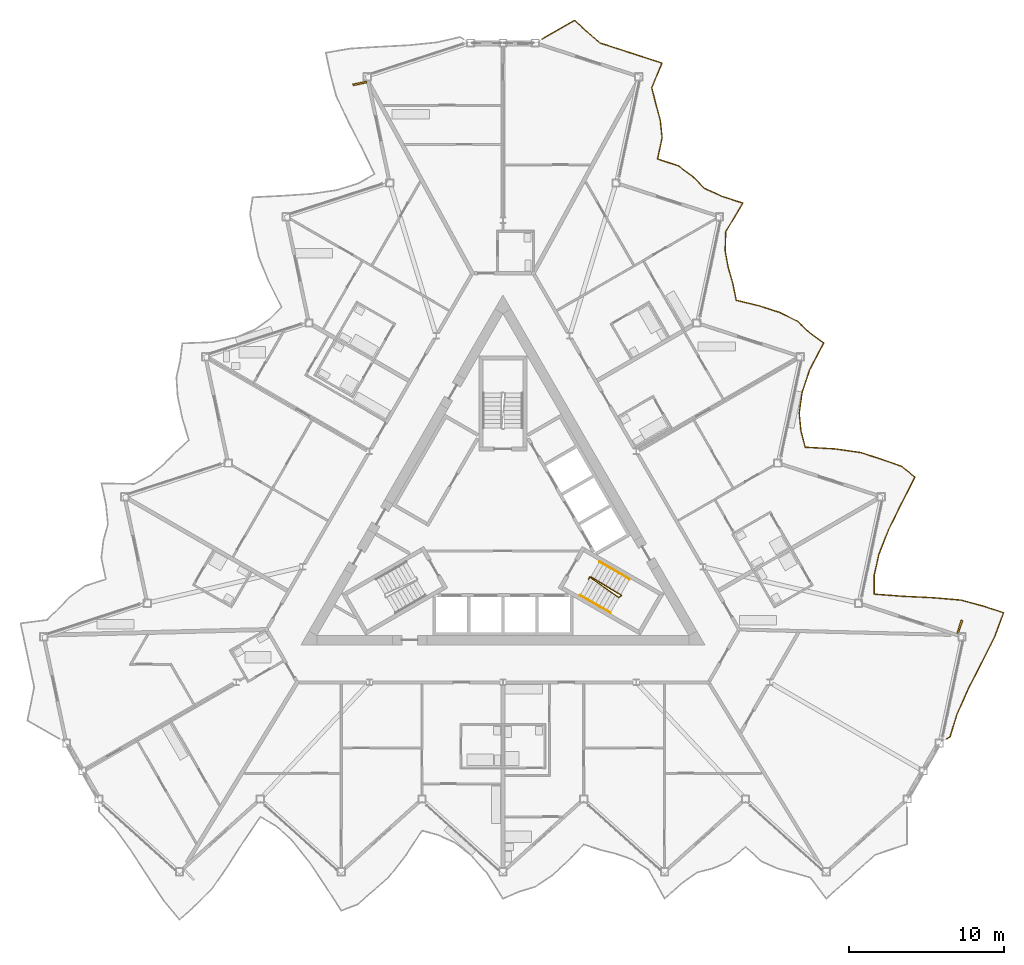
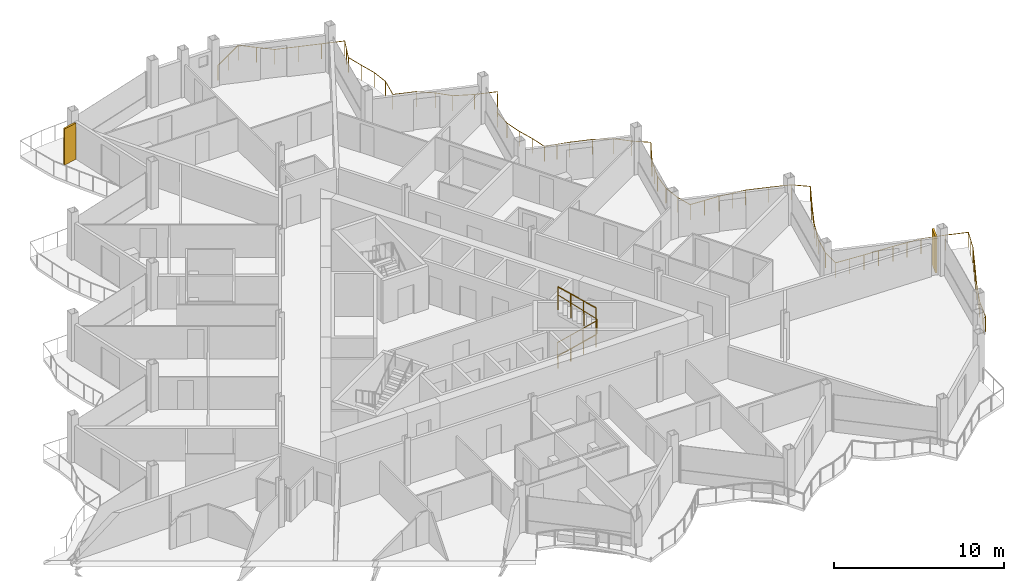
# One storey, part 24 of 26: 4 railings, 2 shading devices.
"""IFC4 building model written with IfcOpenShell, lengths in metres."""

from ifc_helpers import new_model, si_unit, direction, frame, origin, origin_2d, place, context, subcontext, project, spatial, rectangle, circle, extrude, material, layer, layer_set, type_object, element, save


model = new_model("IFC4")

# Units and contexts
model_context = context("Model", 3, precision=1e-05, world=origin(), true_north=direction((0.0, 1.0)))
body_context = subcontext(model_context, "Body", "Model", "MODEL_VIEW")
ifc_project = project(units=[si_unit("LENGTHUNIT", "METRE"), si_unit("AREAUNIT", "SQUARE_METRE"), si_unit("VOLUMEUNIT", "CUBIC_METRE"), si_unit("PLANEANGLEUNIT", "RADIAN"), si_unit("MASSUNIT", "GRAM", prefix="KILO")], contexts=[model_context])

# Site, building, storey
site_placement = place(None, origin())
site = spatial("IfcSite", under=ifc_project, at=site_placement, CompositionType="ELEMENT")
building_placement = place(site_placement, origin())
building = spatial("IfcBuilding", under=site, at=building_placement, Name="Cormorant Prow Tower", CompositionType="ELEMENT")
storey_placement = place(building_placement, frame((0.0, 0.0, 401.800048828125)))
storey = spatial("IfcBuildingStorey", under=building, at=storey_placement, Name="L92", CompositionType="ELEMENT", Elevation=401.800048828125)

# Railings
ifc_material_1 = material(Name="Aluminium 6063-T6", Category="aluminium")
railing_type_1 = type_object("IfcRailingType", Name="Balcony guard 1100", PredefinedType="GUARDRAIL", material=ifc_material_1)
railing_1_placement = place(storey_placement, frame((28.52685546875, -13.55224609375, 0.0)))
element("IfcRailing", 1, at=railing_1_placement, inside=storey, type_object=railing_type_1, Name="Balcony guard ENE", PredefinedType="GUARDRAIL", context=body_context, shape_type="SweptSolid", body=[
    extrude(circle(Radius=0.02392578125, at=origin_2d()), frame((0.0, 0.0, 1.076171875), z_axis=(0.866065156741, 0.499931139538, 0.0), x_axis=(-0.499931139538, 0.866065156741, 0.0)), (0.0, 0.0, 1.0), 0.27001953125),
    extrude(circle(Radius=0.02392578125, at=origin_2d()), frame((0.23388671875, 0.135009765625, 1.076171875), z_axis=(0.294635665896, 0.955609661097, 0.0), x_axis=(-0.955609661097, 0.294635665896, 0.0)), (0.0, 0.0, 1.0), 1.52880859375),
    extrude(circle(Radius=0.02392578125, at=origin_2d()), frame((0.684326171875, 1.595947265625, 1.076171875), z_axis=(0.40759544347, 0.913162611183, 0.0), x_axis=(-0.913162611183, 0.40759544347, 0.0)), (0.0, 0.0, 1.0), 1.771728515625),
    extrude(circle(Radius=0.02392578125, at=origin_2d()), frame((1.406494140625, 3.2138671875, 1.076171875), z_axis=(0.454002389748, 0.891000465827, 0.0), x_axis=(-0.891000465827, 0.454002389748, 0.0)), (0.0, 0.0, 1.0), 1.90966796875),
    extrude(circle(Radius=0.02392578125, at=origin_2d()), frame((2.2734375, 4.915283203125, 1.076171875), z_axis=(0.44664387204, 0.894711825991, 0.0), x_axis=(-0.894711825991, 0.44664387204, 0.0)), (0.0, 0.0, 1.0), 1.8857421875),
    extrude(circle(Radius=0.02392578125, at=origin_2d()), frame((3.11572265625, 6.6025390625, 1.076171875), z_axis=(0.347011519873, 0.937860866587, 0.0), x_axis=(-0.937860866587, 0.347011519873, 0.0)), (0.0, 0.0, 1.0), 1.6279296875),
    extrude(circle(Radius=0.02392578125, at=origin_2d()), frame((3.6806640625, 8.12939453125, 1.076171875), z_axis=(-0.951080208938, 0.308944066403, 0.0), x_axis=(-0.308944066403, -0.951080208938, 0.0)), (0.0, 0.0, 1.0), 1.3994140625),
    extrude(circle(Radius=0.02392578125, at=origin_2d()), frame((2.349609375, 8.561767578125, 1.076171875), z_axis=(-0.965272716618, 0.261244296689, 0.0), x_axis=(-0.261244296689, -0.965272716618, 0.0)), (0.0, 0.0, 1.0), 1.46728515625),
    extrude(circle(Radius=0.02392578125, at=origin_2d()), frame((0.933349609375, 8.945068359375, 1.076171875), z_axis=(-0.996577053623, 0.082669076395, 0.0), x_axis=(-0.082669076395, -0.996577053623, 0.0)), (0.0, 0.0, 1.0), 1.8251953125),
    extrude(circle(Radius=0.02392578125, at=origin_2d()), frame((-0.885498046875, 9.095947265625, 1.076171875), z_axis=(-0.998813708911, 0.048694711114, 0.0), x_axis=(-0.048694711114, -0.998813708911, 0.0)), (0.0, 0.0, 1.0), 1.920166015625),
    extrude(circle(Radius=0.02392578125, at=origin_2d()), frame((-2.803466796875, 9.189453125, 1.076171875), z_axis=(-0.997282146164, 0.073677139886, 0.0), x_axis=(-0.073677139886, -0.997282146164, 0.0)), (0.0, 0.0, 1.0), 1.84912109375),
    extrude(circle(Radius=0.02392578125, at=origin_2d()), frame((-4.6474609375, 9.32568359375, 1.076171875), z_axis=(0.002233496967, 0.999997505743, 0.0), x_axis=(-0.999997505743, 0.002233496967, 0.0)), (0.0, 0.0, 1.0), 1.202392578125),
    extrude(circle(Radius=0.02392578125, at=origin_2d()), frame((-4.644775390625, 10.528076171875, 1.076171875), z_axis=(0.2207792529, 0.975323803405, 0.0), x_axis=(-0.975323803405, 0.2207792529, 0.0)), (0.0, 0.0, 1.0), 1.41650390625),
    extrude(circle(Radius=0.02392578125, at=origin_2d()), frame((-4.33203125, 11.90966796875, 1.076171875), z_axis=(0.367993282522, 0.929828448704, 0.0), x_axis=(-0.929828448704, 0.367993282522, 0.0)), (0.0, 0.0, 1.0), 1.673828125),
    extrude(circle(Radius=0.02392578125, at=origin_2d()), frame((-3.716064453125, 13.466064453125, 1.076171875), z_axis=(0.44098146183, 0.897516211732, 0.0), x_axis=(-0.897516211732, 0.44098146183, 0.0)), (0.0, 0.0, 1.0), 1.867919921875),
    extrude(circle(Radius=0.02392578125, at=origin_2d()), frame((-2.892333984375, 15.142578125, 1.076171875), z_axis=(0.456208045682, 0.889873147732, 0.0), x_axis=(-0.889873147732, 0.456208045682, 0.0)), (0.0, 0.0, 1.0), 1.9169921875),
    extrude(circle(Radius=0.02392578125, at=origin_2d()), frame((-2.017822265625, 16.848388671875, 1.076171875), z_axis=(-0.778792533163, 0.627281587718, 0.0), x_axis=(-0.627281587718, -0.778792533163, 0.0)), (0.0, 0.0, 1.0), 1.114990234375),
    extrude(circle(Radius=0.02392578125, at=origin_2d()), frame((-2.88623046875, 17.5478515625, 1.076171875), z_axis=(-0.943899957521, 0.330231540275, 0.0), x_axis=(-0.330231540275, -0.943899957521, 0.0)), (0.0, 0.0, 1.0), 1.3720703125),
    extrude(circle(Radius=0.02392578125, at=origin_2d()), frame((-4.181396484375, 18.0009765625, 1.076171875), z_axis=(-0.951080208938, 0.308944066403, 0.0), x_axis=(-0.308944066403, -0.951080208938, 0.0)), (0.0, 0.0, 1.0), 1.3994140625),
    extrude(circle(Radius=0.02392578125, at=origin_2d()), frame((-5.512451171875, 18.433349609375, 1.076171875), z_axis=(-0.990145291497, 0.140043927845, 0.0), x_axis=(-0.140043927845, -0.990145291497, 0.0)), (0.0, 0.0, 1.0), 1.6875),
    extrude(circle(Radius=0.02392578125, at=origin_2d()), frame((-7.183349609375, 18.669677734375, 1.076171875), z_axis=(-0.998427340778, 0.056061084427, 0.0), x_axis=(-0.056061084427, -0.998427340778, 0.0)), (0.0, 0.0, 1.0), 1.898681640625),
    extrude(circle(Radius=0.02392578125, at=origin_2d()), frame((-9.0791015625, 18.776123046875, 1.076171875), z_axis=(-0.255307216485, 0.966859982216, 0.0), x_axis=(-0.966859982216, -0.255307216485, 0.0)), (0.0, 0.0, 1.0), 1.07763671875),
    extrude(circle(Radius=0.02392578125, at=origin_2d()), frame((-9.354248046875, 19.818115234375, 1.076171875), z_axis=(-0.095928166655, 0.995388259345, 0.0), x_axis=(-0.995388259345, -0.095928166655, 0.0)), (0.0, 0.0, 1.0), 1.142822265625),
    extrude(circle(Radius=0.02392578125, at=origin_2d()), frame((-9.4638671875, 20.95556640625, 1.076171875), z_axis=(0.132249005383, 0.991216525576, 0.0), x_axis=(-0.991216525576, 0.132249005383, 0.0)), (0.0, 0.0, 1.0), 1.3125),
    extrude(circle(Radius=0.02392578125, at=origin_2d()), frame((-9.290283203125, 22.256591796875, 1.076171875), z_axis=(0.314213465181, 0.949352357294, 0.0), x_axis=(-0.949352357294, 0.314213465181, 0.0)), (0.0, 0.0, 1.0), 1.56396484375),
    extrude(circle(Radius=0.02392578125, at=origin_2d()), frame((-8.798828125, 23.741455078125, 1.076171875), z_axis=(0.466375346365, 0.88458692976, 0.0), x_axis=(-0.88458692976, 0.466375346365, 0.0)), (0.0, 0.0, 1.0), 1.95166015625),
    extrude(circle(Radius=0.02392578125, at=origin_2d()), frame((-7.888671875, 25.4677734375, 1.076171875), z_axis=(-0.801704532419, 0.597720538963, 0.0), x_axis=(-0.597720538963, -0.801704532419, 0.0)), (0.0, 0.0, 1.0), 1.13232421875),
    extrude(circle(Radius=0.02392578125, at=origin_2d()), frame((-8.79638671875, 26.14453125, 1.076171875), z_axis=(-0.73190555382, 0.681406090585, 0.0), x_axis=(-0.681406090585, -0.73190555382, 0.0)), (0.0, 0.0, 1.0), 1.087646484375),
    extrude(circle(Radius=0.02392578125, at=origin_2d()), frame((-9.592529296875, 26.8857421875, 1.076171875), z_axis=(-0.896178639689, 0.443693414156, 0.0), x_axis=(-0.443693414156, -0.896178639689, 0.0)), (0.0, 0.0, 1.0), 1.24951171875),
    extrude(circle(Radius=0.02392578125, at=origin_2d()), frame((-10.71240234375, 27.440185546875, 1.076171875), z_axis=(-0.951080208938, 0.308944066403, 0.0), x_axis=(-0.308944066403, -0.951080208938, 0.0)), (0.0, 0.0, 1.0), 1.3994140625),
    extrude(circle(Radius=0.02392578125, at=origin_2d()), frame((-12.04345703125, 27.87255859375, 1.076171875), z_axis=(-0.972453246492, 0.233098012407, 0.0), x_axis=(-0.233098012407, -0.972453246492, 0.0)), (0.0, 0.0, 1.0), 1.511474609375),
    extrude(circle(Radius=0.02392578125, at=origin_2d()), frame((-13.51318359375, 28.224853515625, 1.076171875), z_axis=(-0.200653710147, 0.979662231896, 0.0), x_axis=(-0.979662231896, -0.200653710147, 0.0)), (0.0, 0.0, 1.0), 1.09619140625),
    extrude(circle(Radius=0.02392578125, at=origin_2d()), frame((-13.733154296875, 29.298828125, 1.076171875), z_axis=(-0.276165359258, 0.961110136429, 0.0), x_axis=(-0.961110136429, -0.276165359258, 0.0)), (0.0, 0.0, 1.0), 1.071533203125),
    extrude(circle(Radius=0.02392578125, at=origin_2d()), frame((-14.029052734375, 30.32861328125, 1.076171875), z_axis=(-0.181123027937, 0.983460445951, 0.0), x_axis=(-0.983460445951, -0.181123027937, 0.0)), (0.0, 0.0, 1.0), 1.10400390625),
    extrude(circle(Radius=0.02392578125, at=origin_2d()), frame((-14.22900390625, 31.414306640625, 1.076171875), z_axis=(0.033673078207, 0.999432901101, 0.0), x_axis=(-0.999432901101, 0.033673078207, 0.0)), (0.0, 0.0, 1.0), 1.225341796875),
    extrude(circle(Radius=0.02392578125, at=origin_2d()), frame((-14.187744140625, 32.638916015625, 1.076171875), z_axis=(0.513757157069, 0.857935652342, 0.0), x_axis=(-0.857935652342, 0.513757157069, 0.0)), (0.0, 0.0, 1.0), 2.139404296875),
    extrude(circle(Radius=0.02392578125, at=origin_2d()), frame((-13.088623046875, 34.474365234375, 1.076171875), z_axis=(-0.951063554534, 0.308995332064, 0.0), x_axis=(-0.308995332064, -0.951063554534, 0.0)), (0.0, 0.0, 1.0), 1.399169921875),
    extrude(circle(Radius=0.02392578125, at=origin_2d()), frame((-14.41943359375, 34.90673828125, 1.076171875), z_axis=(-0.910627757754, 0.413227645261, 0.0), x_axis=(-0.413227645261, -0.910627757754, 0.0)), (0.0, 0.0, 1.0), 1.279052734375),
    extrude(circle(Radius=0.02392578125, at=origin_2d()), frame((-15.584228515625, 35.435302734375, 1.076171875), z_axis=(-0.701632650606, 0.71253885761, 0.0), x_axis=(-0.71253885761, -0.701632650606, 0.0)), (0.0, 0.0, 1.0), 1.074462890625),
    extrude(circle(Radius=0.02392578125, at=origin_2d()), frame((-16.338134765625, 36.200927734375, 1.076171875), z_axis=(-0.800310692939, 0.599585519144, 0.0), x_axis=(-0.599585519144, -0.800310692939, 0.0)), (0.0, 0.0, 1.0), 1.131103515625),
    extrude(circle(Radius=0.02392578125, at=origin_2d()), frame((-17.243408203125, 36.879150390625, 1.076171875), z_axis=(-0.951012270488, 0.309153135811, 0.0), x_axis=(-0.309153135811, -0.951012270488, 0.0)), (0.0, 0.0, 1.0), 1.3994140625),
    extrude(circle(Radius=0.02392578125, at=origin_2d()), frame((-18.57421875, 37.311767578125, 1.076171875), z_axis=(0.20777738218, 0.978176139279, 0.0), x_axis=(-0.978176139279, 0.20777738218, 0.0)), (0.0, 0.0, 1.0), 1.3994140625),
    extrude(circle(Radius=0.02392578125, at=origin_2d()), frame((-18.283447265625, 38.6806640625, 1.076171875), z_axis=(-0.103769575479, 0.994601364972, 0.0), x_axis=(-0.994601364972, -0.103769575479, 0.0)), (0.0, 0.0, 1.0), 1.138671875),
    extrude(circle(Radius=0.02392578125, at=origin_2d()), frame((-18.401611328125, 39.813232421875, 1.076171875), z_axis=(-0.264385642395, 0.96441704262, 0.0), x_axis=(-0.96441704262, -0.264385642395, 0.0)), (0.0, 0.0, 1.0), 1.074951171875),
    extrude(circle(Radius=0.02392578125, at=origin_2d()), frame((-18.685791015625, 40.849853515625, 1.076171875), z_axis=(-0.242110869168, 0.970248590327, 0.0), x_axis=(-0.970248590327, -0.242110869168, 0.0)), (0.0, 0.0, 1.0), 1.08203125),
    extrude(circle(Radius=0.02392578125, at=origin_2d()), frame((-18.94775390625, 41.899658203125, 1.076171875), z_axis=(0.384767161334, 0.923013668132, 0.0), x_axis=(-0.923013668132, 0.384767161334, 0.0)), (0.0, 0.0, 1.0), 1.713134765625),
    extrude(circle(Radius=0.02392578125, at=origin_2d()), frame((-18.28857421875, 43.48095703125, 1.076171875), z_axis=(-0.951028941009, 0.309101849499, 0.0), x_axis=(-0.309101849499, -0.951028941009, 0.0)), (0.0, 0.0, 1.0), 1.399658203125),
    extrude(circle(Radius=0.02392578125, at=origin_2d()), frame((-19.61962890625, 43.91357421875, 1.076171875), z_axis=(-0.951063554534, 0.308995332064, 0.0), x_axis=(-0.308995332064, -0.951063554534, 0.0)), (0.0, 0.0, 1.0), 1.399169921875),
    extrude(circle(Radius=0.02392578125, at=origin_2d()), frame((-20.950439453125, 44.345947265625, 1.076171875), z_axis=(-0.951028941009, 0.309101849499, 0.0), x_axis=(-0.309101849499, -0.951028941009, 0.0)), (0.0, 0.0, 1.0), 1.399658203125),
    extrude(circle(Radius=0.02392578125, at=origin_2d()), frame((-22.281494140625, 44.778564453125, 1.076171875), z_axis=(-0.754266029203, 0.656568927981, 0.0), x_axis=(-0.656568927981, -0.754266029203, 0.0)), (0.0, 0.0, 1.0), 1.099609375),
    extrude(circle(Radius=0.02392578125, at=origin_2d()), frame((-23.11083984375, 45.50048828125, 1.076171875), z_axis=(-0.74506626077, 0.666990455001, 0.0), x_axis=(-0.666990455001, -0.74506626077, 0.0)), (0.0, 0.0, 1.0), 1.094482421875),
    extrude(circle(Radius=0.02392578125, at=origin_2d()), frame((-23.92626953125, 46.23046875, 1.076171875), z_axis=(-0.866070133608, -0.499922517669, 0.0), x_axis=(0.499922517669, -0.866070133608, 0.0)), (0.0, 0.0, 1.0), 2.39453125),
    extrude(circle(Radius=0.02099609375, at=origin_2d()), origin(), (0.0, 0.0, 1.0), 1.052001953125),
    extrude(circle(Radius=0.02099609375, at=origin_2d()), frame((0.23388671875, 0.135009765625, 0.0)), (0.0, 0.0, 1.0), 1.052001953125),
    extrude(circle(Radius=0.02099609375, at=origin_2d()), frame((0.458984375, 0.865478515625, 0.0)), (0.0, 0.0, 1.0), 1.052001953125),
    extrude(circle(Radius=0.02099609375, at=origin_2d()), frame((0.684326171875, 1.595947265625, 0.0)), (0.0, 0.0, 1.0), 1.052001953125),
    extrude(circle(Radius=0.02099609375, at=origin_2d()), frame((1.04541015625, 2.40478515625, 0.0)), (0.0, 0.0, 1.0), 1.052001953125),
    extrude(circle(Radius=0.02099609375, at=origin_2d()), frame((1.406494140625, 3.2138671875, 0.0)), (0.0, 0.0, 1.0), 1.052001953125),
    extrude(circle(Radius=0.02099609375, at=origin_2d()), frame((1.83984375, 4.064453125, 0.0)), (0.0, 0.0, 1.0), 1.052001953125),
    extrude(circle(Radius=0.02099609375, at=origin_2d()), frame((2.2734375, 4.915283203125, 0.0)), (0.0, 0.0, 1.0), 1.052001953125),
    extrude(circle(Radius=0.02099609375, at=origin_2d()), frame((2.694580078125, 5.7587890625, 0.0)), (0.0, 0.0, 1.0), 1.052001953125),
    extrude(circle(Radius=0.02099609375, at=origin_2d()), frame((3.11572265625, 6.6025390625, 0.0)), (0.0, 0.0, 1.0), 1.052001953125),
    extrude(circle(Radius=0.02099609375, at=origin_2d()), frame((3.398193359375, 7.365966796875, 0.0)), (0.0, 0.0, 1.0), 1.052001953125),
    extrude(circle(Radius=0.02099609375, at=origin_2d()), frame((3.6806640625, 8.12939453125, 0.0)), (0.0, 0.0, 1.0), 1.052001953125),
    extrude(circle(Radius=0.02099609375, at=origin_2d()), frame((2.349609375, 8.561767578125, 0.0)), (0.0, 0.0, 1.0), 1.052001953125),
    extrude(circle(Radius=0.02099609375, at=origin_2d()), frame((0.933349609375, 8.945068359375, 0.0)), (0.0, 0.0, 1.0), 1.052001953125),
    extrude(circle(Radius=0.02099609375, at=origin_2d()), frame((0.02392578125, 9.0205078125, 0.0)), (0.0, 0.0, 1.0), 1.052001953125),
    extrude(circle(Radius=0.02099609375, at=origin_2d()), frame((-0.885498046875, 9.095947265625, 0.0)), (0.0, 0.0, 1.0), 1.052001953125),
    extrude(circle(Radius=0.02099609375, at=origin_2d()), frame((-1.844482421875, 9.142578125, 0.0)), (0.0, 0.0, 1.0), 1.052001953125),
    extrude(circle(Radius=0.02099609375, at=origin_2d()), frame((-2.803466796875, 9.189453125, 0.0)), (0.0, 0.0, 1.0), 1.052001953125),
    extrude(circle(Radius=0.02099609375, at=origin_2d()), frame((-3.7255859375, 9.257568359375, 0.0)), (0.0, 0.0, 1.0), 1.052001953125),
    extrude(circle(Radius=0.02099609375, at=origin_2d()), frame((-4.6474609375, 9.32568359375, 0.0)), (0.0, 0.0, 1.0), 1.052001953125),
    extrude(circle(Radius=0.02099609375, at=origin_2d()), frame((-4.644775390625, 10.528076171875, 0.0)), (0.0, 0.0, 1.0), 1.052001953125),
    extrude(circle(Radius=0.02099609375, at=origin_2d()), frame((-4.33203125, 11.90966796875, 0.0)), (0.0, 0.0, 1.0), 1.052001953125),
    extrude(circle(Radius=0.02099609375, at=origin_2d()), frame((-4.02392578125, 12.68798828125, 0.0)), (0.0, 0.0, 1.0), 1.052001953125),
    extrude(circle(Radius=0.02099609375, at=origin_2d()), frame((-3.716064453125, 13.466064453125, 0.0)), (0.0, 0.0, 1.0), 1.052001953125),
    extrude(circle(Radius=0.02099609375, at=origin_2d()), frame((-3.30419921875, 14.30419921875, 0.0)), (0.0, 0.0, 1.0), 1.052001953125),
    extrude(circle(Radius=0.02099609375, at=origin_2d()), frame((-2.892333984375, 15.142578125, 0.0)), (0.0, 0.0, 1.0), 1.052001953125),
    extrude(circle(Radius=0.02099609375, at=origin_2d()), frame((-2.455078125, 15.99560546875, 0.0)), (0.0, 0.0, 1.0), 1.052001953125),
    extrude(circle(Radius=0.02099609375, at=origin_2d()), frame((-2.017822265625, 16.848388671875, 0.0)), (0.0, 0.0, 1.0), 1.052001953125),
    extrude(circle(Radius=0.02099609375, at=origin_2d()), frame((-2.88623046875, 17.5478515625, 0.0)), (0.0, 0.0, 1.0), 1.052001953125),
    extrude(circle(Radius=0.02099609375, at=origin_2d()), frame((-4.181396484375, 18.0009765625, 0.0)), (0.0, 0.0, 1.0), 1.052001953125),
    extrude(circle(Radius=0.02099609375, at=origin_2d()), frame((-5.512451171875, 18.433349609375, 0.0)), (0.0, 0.0, 1.0), 1.052001953125),
    extrude(circle(Radius=0.02099609375, at=origin_2d()), frame((-6.347900390625, 18.551513671875, 0.0)), (0.0, 0.0, 1.0), 1.052001953125),
    extrude(circle(Radius=0.02099609375, at=origin_2d()), frame((-7.183349609375, 18.669677734375, 0.0)), (0.0, 0.0, 1.0), 1.052001953125),
    extrude(circle(Radius=0.02099609375, at=origin_2d()), frame((-8.13134765625, 18.722900390625, 0.0)), (0.0, 0.0, 1.0), 1.052001953125),
    extrude(circle(Radius=0.02099609375, at=origin_2d()), frame((-9.0791015625, 18.776123046875, 0.0)), (0.0, 0.0, 1.0), 1.052001953125),
    extrude(circle(Radius=0.02099609375, at=origin_2d()), frame((-9.354248046875, 19.818115234375, 0.0)), (0.0, 0.0, 1.0), 1.052001953125),
    extrude(circle(Radius=0.02099609375, at=origin_2d()), frame((-9.4638671875, 20.95556640625, 0.0)), (0.0, 0.0, 1.0), 1.052001953125),
    extrude(circle(Radius=0.02099609375, at=origin_2d()), frame((-9.290283203125, 22.256591796875, 0.0)), (0.0, 0.0, 1.0), 1.052001953125),
    extrude(circle(Radius=0.02099609375, at=origin_2d()), frame((-9.04443359375, 22.9990234375, 0.0)), (0.0, 0.0, 1.0), 1.052001953125),
    extrude(circle(Radius=0.02099609375, at=origin_2d()), frame((-8.798828125, 23.741455078125, 0.0)), (0.0, 0.0, 1.0), 1.052001953125),
    extrude(circle(Radius=0.02099609375, at=origin_2d()), frame((-8.34375, 24.6044921875, 0.0)), (0.0, 0.0, 1.0), 1.052001953125),
    extrude(circle(Radius=0.02099609375, at=origin_2d()), frame((-7.888671875, 25.4677734375, 0.0)), (0.0, 0.0, 1.0), 1.052001953125),
    extrude(circle(Radius=0.02099609375, at=origin_2d()), frame((-8.79638671875, 26.14453125, 0.0)), (0.0, 0.0, 1.0), 1.052001953125),
    extrude(circle(Radius=0.02099609375, at=origin_2d()), frame((-9.592529296875, 26.8857421875, 0.0)), (0.0, 0.0, 1.0), 1.052001953125),
    extrude(circle(Radius=0.02099609375, at=origin_2d()), frame((-10.71240234375, 27.440185546875, 0.0)), (0.0, 0.0, 1.0), 1.052001953125),
    extrude(circle(Radius=0.02099609375, at=origin_2d()), frame((-12.04345703125, 27.87255859375, 0.0)), (0.0, 0.0, 1.0), 1.052001953125),
    extrude(circle(Radius=0.02099609375, at=origin_2d()), frame((-12.7783203125, 28.048828125, 0.0)), (0.0, 0.0, 1.0), 1.052001953125),
    extrude(circle(Radius=0.02099609375, at=origin_2d()), frame((-13.51318359375, 28.224853515625, 0.0)), (0.0, 0.0, 1.0), 1.052001953125),
    extrude(circle(Radius=0.02099609375, at=origin_2d()), frame((-13.733154296875, 29.298828125, 0.0)), (0.0, 0.0, 1.0), 1.052001953125),
    extrude(circle(Radius=0.02099609375, at=origin_2d()), frame((-14.029052734375, 30.32861328125, 0.0)), (0.0, 0.0, 1.0), 1.052001953125),
    extrude(circle(Radius=0.02099609375, at=origin_2d()), frame((-14.22900390625, 31.414306640625, 0.0)), (0.0, 0.0, 1.0), 1.052001953125),
    extrude(circle(Radius=0.02099609375, at=origin_2d()), frame((-14.187744140625, 32.638916015625, 0.0)), (0.0, 0.0, 1.0), 1.052001953125),
    extrude(circle(Radius=0.02099609375, at=origin_2d()), frame((-13.63818359375, 33.556640625, 0.0)), (0.0, 0.0, 1.0), 1.052001953125),
    extrude(circle(Radius=0.02099609375, at=origin_2d()), frame((-13.088623046875, 34.474365234375, 0.0)), (0.0, 0.0, 1.0), 1.052001953125),
    extrude(circle(Radius=0.02099609375, at=origin_2d()), frame((-14.41943359375, 34.90673828125, 0.0)), (0.0, 0.0, 1.0), 1.052001953125),
    extrude(circle(Radius=0.02099609375, at=origin_2d()), frame((-15.584228515625, 35.435302734375, 0.0)), (0.0, 0.0, 1.0), 1.052001953125),
    extrude(circle(Radius=0.02099609375, at=origin_2d()), frame((-16.338134765625, 36.200927734375, 0.0)), (0.0, 0.0, 1.0), 1.052001953125),
    extrude(circle(Radius=0.02099609375, at=origin_2d()), frame((-17.243408203125, 36.879150390625, 0.0)), (0.0, 0.0, 1.0), 1.052001953125),
    extrude(circle(Radius=0.02099609375, at=origin_2d()), frame((-18.57421875, 37.311767578125, 0.0)), (0.0, 0.0, 1.0), 1.052001953125),
    extrude(circle(Radius=0.02099609375, at=origin_2d()), frame((-18.283447265625, 38.6806640625, 0.0)), (0.0, 0.0, 1.0), 1.052001953125),
    extrude(circle(Radius=0.02099609375, at=origin_2d()), frame((-18.401611328125, 39.813232421875, 0.0)), (0.0, 0.0, 1.0), 1.052001953125),
    extrude(circle(Radius=0.02099609375, at=origin_2d()), frame((-18.685791015625, 40.849853515625, 0.0)), (0.0, 0.0, 1.0), 1.052001953125),
    extrude(circle(Radius=0.02099609375, at=origin_2d()), frame((-18.94775390625, 41.899658203125, 0.0)), (0.0, 0.0, 1.0), 1.052001953125),
    extrude(circle(Radius=0.02099609375, at=origin_2d()), frame((-18.6181640625, 42.6904296875, 0.0)), (0.0, 0.0, 1.0), 1.052001953125),
    extrude(circle(Radius=0.02099609375, at=origin_2d()), frame((-18.28857421875, 43.48095703125, 0.0)), (0.0, 0.0, 1.0), 1.052001953125),
    extrude(circle(Radius=0.02099609375, at=origin_2d()), frame((-19.61962890625, 43.91357421875, 0.0)), (0.0, 0.0, 1.0), 1.052001953125),
    extrude(circle(Radius=0.02099609375, at=origin_2d()), frame((-20.950439453125, 44.345947265625, 0.0)), (0.0, 0.0, 1.0), 1.052001953125),
    extrude(circle(Radius=0.02099609375, at=origin_2d()), frame((-22.281494140625, 44.778564453125, 0.0)), (0.0, 0.0, 1.0), 1.052001953125),
    extrude(circle(Radius=0.02099609375, at=origin_2d()), frame((-23.11083984375, 45.50048828125, 0.0)), (0.0, 0.0, 1.0), 1.052001953125),
    extrude(circle(Radius=0.02099609375, at=origin_2d()), frame((-23.92626953125, 46.23046875, 0.0)), (0.0, 0.0, 1.0), 1.052001953125),
    extrude(circle(Radius=0.02099609375, at=origin_2d()), frame((-24.963134765625, 45.6318359375, 0.0)), (0.0, 0.0, 1.0), 1.052001953125),
    extrude(circle(Radius=0.02099609375, at=origin_2d()), frame((-26.0, 45.033447265625, 0.0)), (0.0, 0.0, 1.0), 1.052001953125),
])
ifc_material_2 = material(Name="Stainless steel", Category="steel")
railing_type_2 = type_object("IfcRailingType", Name="Stair guard 1100", PredefinedType="GUARDRAIL", material=ifc_material_2)
railing_2_placement = place(storey_placement, frame((5.510009765625, -3.267822265625, 0.0)))
element("IfcRailing", 2, at=railing_2_placement, inside=storey, type_object=railing_type_2, Name="L92 ST2 stair guard 1", PredefinedType="GUARDRAIL", context=body_context, shape_type="SweptSolid", body=[
    extrude(circle(Radius=0.02392578125, at=origin_2d()), frame((0.0, 0.0, 1.076171875), z_axis=(0.501036270542, 0.865426285481, 0.0), x_axis=(-0.865426285481, 0.501036270542, 0.0)), (0.0, 0.0, 1.0), 0.150146484375),
    extrude(circle(Radius=0.02392578125, at=origin_2d()), frame((0.0751953125, 0.1298828125, 1.076171875), z_axis=(0.658670593711, -0.461060875852, 0.594622500196), x_axis=(0.573455215813, 0.819236910458, 0.0)), (0.0, 0.0, 1.0), 2.85888671875),
    extrude(circle(Radius=0.02392578125, at=origin_2d()), frame((1.958251953125, -1.188232421875, 2.77587890625), z_axis=(0.695164929852, 0.718850276695, 0.0), x_axis=(-0.718850276695, 0.695164929852, 0.0)), (0.0, 0.0, 1.0), 0.2060546875),
    extrude(circle(Radius=0.02392578125, at=origin_2d()), frame((2.1015625, -1.0400390625, 2.77587890625), z_axis=(-0.686515364547, 0.416565300991, 0.595961411712), x_axis=(-0.518752825935, -0.854924268918, 0.0)), (0.0, 0.0, 1.0), 2.8525390625),
    extrude(circle(Radius=0.02099609375, at=origin_2d()), origin(), (0.0, 0.0, 1.0), 1.052001953125),
    extrude(circle(Radius=0.02099609375, at=origin_2d()), frame((0.0751953125, 0.1298828125, 0.0)), (0.0, 0.0, 1.0), 1.052001953125),
    extrude(circle(Radius=0.02099609375, at=origin_2d()), frame((0.702880859375, -0.3095703125, 0.566650390625)), (0.0, 0.0, 1.0), 1.052001953125),
    extrude(circle(Radius=0.02099609375, at=origin_2d()), frame((1.33056640625, -0.748779296875, 1.13330078125)), (0.0, 0.0, 1.0), 1.052001953125),
    extrude(circle(Radius=0.02099609375, at=origin_2d()), frame((1.958251953125, -1.188232421875, 1.699951171875)), (0.0, 0.0, 1.0), 1.052001953125),
    extrude(circle(Radius=0.02099609375, at=origin_2d()), frame((2.1015625, -1.0400390625, 1.699951171875)), (0.0, 0.0, 1.0), 1.052001953125),
    extrude(circle(Radius=0.02099609375, at=origin_2d()), frame((1.44873046875, -0.64404296875, 2.2666015625)), (0.0, 0.0, 1.0), 1.052001953125),
    extrude(circle(Radius=0.02099609375, at=origin_2d()), frame((0.796142578125, -0.247802734375, 2.833251953125)), (0.0, 0.0, 1.0), 1.052001953125),
    extrude(circle(Radius=0.02099609375, at=origin_2d()), frame((0.143310546875, 0.148193359375, 3.39990234375)), (0.0, 0.0, 1.0), 1.052001953125),
])
ifc_material_3 = material(Name="Stainless steel", Category="steel")
railing_type_3 = type_object("IfcRailingType", Name="Stair handrail 900", PredefinedType="HANDRAIL", material=ifc_material_3)
railing_3_placement = place(storey_placement, frame((4.968994140625, -4.30517578125, 0.188720703125)))
element("IfcRailing", 3, at=railing_3_placement, inside=storey, type_object=railing_type_3, Name="L92 ST2 stair handrail 1", PredefinedType="HANDRAIL", context=body_context, shape_type="SweptSolid", body=[
    extrude(circle(Radius=0.02392578125, at=origin_2d()), frame((0.0, 0.0, 0.8759765625), z_axis=(0.717869644322, -0.414548260308, 0.559296802813), x_axis=(0.500077830873, 0.865980463445, 0.0)), (0.0, 0.0, 1.0), 2.701904296875),
    extrude(circle(Radius=0.02099609375, at=origin_2d()), origin(), (0.0, 0.0, 1.0), 0.851806640625),
    extrude(circle(Radius=0.02099609375, at=origin_2d()), frame((0.646484375, -0.373291015625, 0.503662109375)), (0.0, 0.0, 1.0), 0.851806640625),
    extrude(circle(Radius=0.02099609375, at=origin_2d()), frame((1.293212890625, -0.746826171875, 1.007568359375)), (0.0, 0.0, 1.0), 0.851806640625),
    extrude(circle(Radius=0.02099609375, at=origin_2d()), frame((1.939697265625, -1.1201171875, 1.51123046875)), (0.0, 0.0, 1.0), 0.851806640625),
])
railing_4_placement = place(storey_placement, frame((8.15283203125, -3.2705078125, 1.888916015625)))
element("IfcRailing", 4, at=railing_4_placement, inside=storey, type_object=railing_type_3, Name="L92 ST2 stair handrail 2", PredefinedType="HANDRAIL", context=body_context, shape_type="SweptSolid", body=[
    extrude(circle(Radius=0.02392578125, at=origin_2d()), frame((0.0, 0.0, 0.8759765625), z_axis=(-0.717976596433, 0.414467486514, 0.559219375198), x_axis=(-0.49994888933, -0.866054910533, 0.0)), (0.0, 0.0, 1.0), 2.701904296875),
    extrude(circle(Radius=0.02099609375, at=origin_2d()), origin(), (0.0, 0.0, 1.0), 0.851806640625),
    extrude(circle(Radius=0.02099609375, at=origin_2d()), frame((-0.646728515625, 0.373291015625, 0.503662109375)), (0.0, 0.0, 1.0), 0.851806640625),
    extrude(circle(Radius=0.02099609375, at=origin_2d()), frame((-1.293212890625, 0.74658203125, 1.00732421875)), (0.0, 0.0, 1.0), 0.851806640625),
    extrude(circle(Radius=0.02099609375, at=origin_2d()), frame((-1.93994140625, 1.119873046875, 1.510986328125)), (0.0, 0.0, 1.0), 0.851806640625),
])

# Shading devices
ifc_material_4 = material(Name="Terracotta", Category="masonry")
ifc_layer = layer(ifc_material_4, 0.1201171875)
ifc_layer_set = layer_set([ifc_layer], Name="Terracotta")
shading_device_type = type_object("IfcShadingDeviceType", Name="Terracotta baguette fin 120x900x2600", PredefinedType="USERDEFINED", material=ifc_layer_set)
for number, where, z_axis, x_axis, name in (
    (5, (29.386474609375, -6.338134765625, 0.0), (0.0, 0.0, 1.0), (-0.951056492904, 0.309017066365, 0.0), "Baguette fin ENE01"),
    (6, (-9.2041015625, 28.61865234375, 0.0), (0.0, 0.0, 1.0), (0.207911620089, -0.978147615768, 0.0), "Baguette fin WNW01"),
):
    element("IfcShadingDevice", number, at=place(storey_placement, frame(where, z_axis=z_axis, x_axis=x_axis)), inside=storey, type_object=shading_device_type, Name=name, ObjectType="BAGUETTE", PredefinedType="USERDEFINED", context=body_context, shape_type="SweptSolid", body=[
        extrude(rectangle(XDim=0.1201171875, YDim=0.89990234375, at=origin_2d()), origin(), (0.0, 0.0, 1.0), 2.60009765625),
    ])

save(model, "model.ifc")
